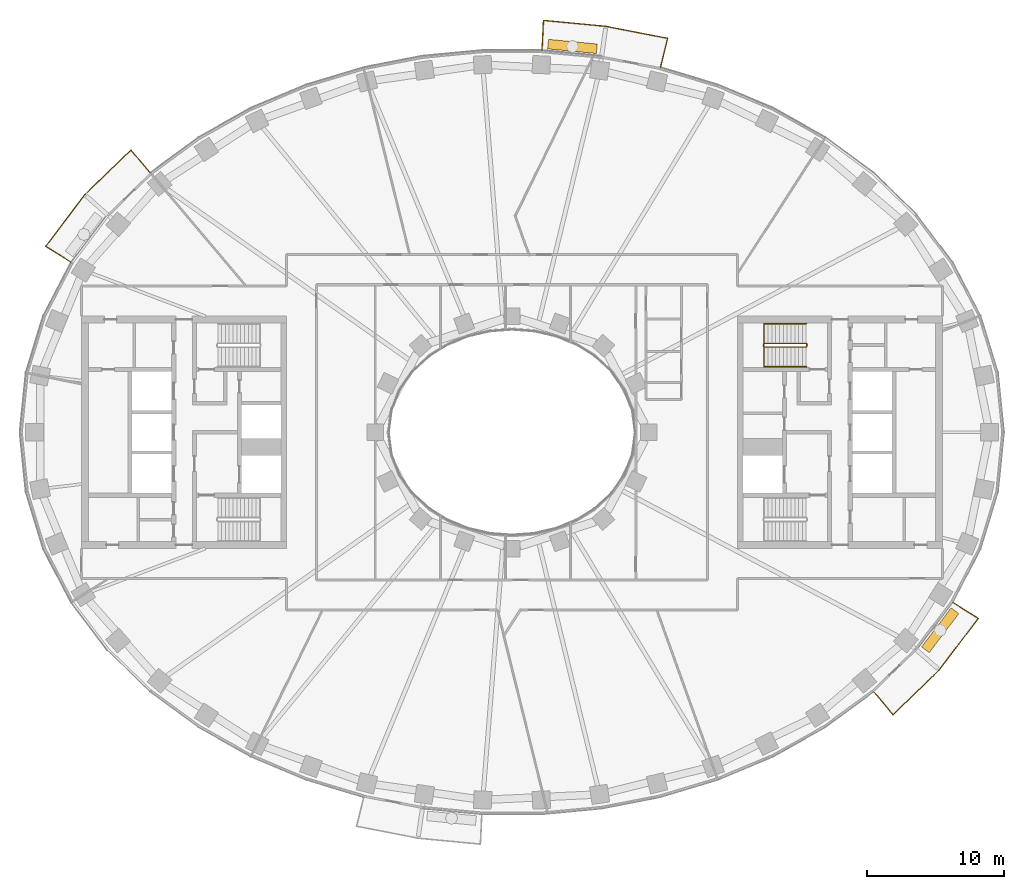
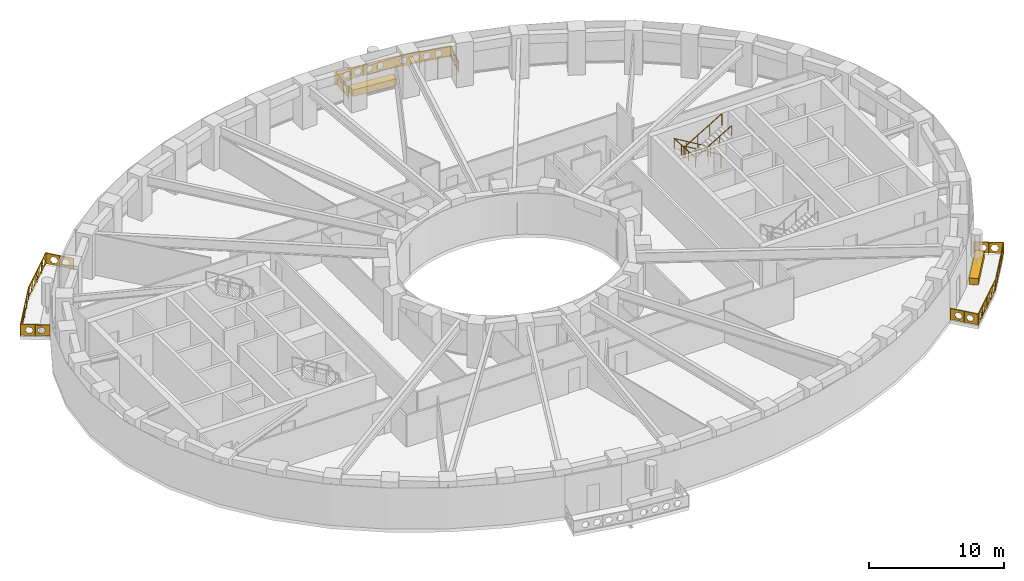
# One storey, part 15 of 16: 5 railings, 2 coverings.
"""IFC4 building model written with IfcOpenShell, lengths in metres."""

from ifc_helpers import new_model, si_unit, direction, frame, origin, origin_2d, place, context, subcontext, project, spatial, polyline, rectangle, outline, extrude, material, type_object, element, save


model = new_model("IFC4")

# Units and contexts
model_context = context("Model", 3, precision=1e-05, world=origin(), true_north=direction((0.0, 1.0)))
body_context = subcontext(model_context, "Body", "Model", "MODEL_VIEW")
ifc_project = project(units=[si_unit("LENGTHUNIT", "METRE"), si_unit("AREAUNIT", "SQUARE_METRE"), si_unit("VOLUMEUNIT", "CUBIC_METRE"), si_unit("PLANEANGLEUNIT", "RADIAN"), si_unit("MASSUNIT", "GRAM", prefix="KILO")], contexts=[model_context])

# Site, building, storey
site_placement = place(None, origin())
site = spatial("IfcSite", under=ifc_project, at=site_placement, CompositionType="ELEMENT")
building_placement = place(site_placement, origin())
building = spatial("IfcBuilding", under=site, at=building_placement, Name="Noorbagh Ring Tower", CompositionType="ELEMENT")
storey_placement = place(building_placement, frame((0.0, 0.0, 100.0)))
storey = spatial("IfcBuildingStorey", under=building, at=storey_placement, Name="L22", CompositionType="ELEMENT", Elevation=100.0)

# Railings
ifc_material_1 = material(Name="Stainless steel", Category="steel")
railing_type_1 = type_object("IfcRailingType", Name="CORE-STAIR-GUARD", PredefinedType="GUARDRAIL", material=ifc_material_1)
railing_1_placement = place(storey_placement, frame((21.580078125, 6.449951171875, 0.0)))
element("IfcRailing", 1, at=railing_1_placement, inside=storey, type_object=railing_type_1, Name="L22 ST3 stair guard", PredefinedType="GUARDRAIL", context=body_context, shape_type="SweptSolid", body=[
    extrude(rectangle(XDim=0.048095703125, YDim=0.048095703125, at=origin_2d()), frame((0.0, 0.0, 1.076171875), z_axis=(0.0, -1.0, 0.0), x_axis=(1.0, 0.0, 0.0)), (0.0, 0.0, 1.0), 0.14990234375),
    extrude(rectangle(XDim=0.048095703125, YDim=0.048095703125, at=origin_2d()), frame((0.0, -0.14990234375, 1.076171875), z_axis=(-0.188775798145, 0.754182335027, 0.628945707965), x_axis=(-0.970072785993, -0.242814311512, 0.0)), (0.0, 0.0, 1.0), 0.26513671875),
    extrude(rectangle(XDim=0.048095703125, YDim=0.048095703125, at=origin_2d()), frame((-0.050048828125, 0.050048828125, 1.24267578125), z_axis=(-0.859308565015, 0.0, 0.511457515432), x_axis=(0.0, -1.0, 0.0)), (0.0, 0.0, 1.0), 3.58447265625),
    extrude(rectangle(XDim=0.048095703125, YDim=0.048095703125, at=origin_2d()), frame((-3.130126953125, 0.050048828125, 3.076171875), z_axis=(-0.707106781187, -0.707106781187, 0.0), x_axis=(0.707106781187, -0.707106781187, 0.0)), (0.0, 0.0, 1.0), 0.07080078125),
    extrude(rectangle(XDim=0.048095703125, YDim=0.048095703125, at=origin_2d()), frame((-3.18017578125, 0.0, 3.076171875), z_axis=(0.0, -1.0, 0.0), x_axis=(1.0, 0.0, 0.0)), (0.0, 0.0, 1.0), 0.14990234375),
    extrude(rectangle(XDim=0.048095703125, YDim=0.048095703125, at=origin_2d()), frame((-3.18017578125, -0.14990234375, 3.076171875), z_axis=(0.27628659633, -0.27628659633, 0.920506074601), x_axis=(0.707106781187, 0.707106781187, 0.0)), (0.0, 0.0, 1.0), 0.18115234375),
    extrude(rectangle(XDim=0.048095703125, YDim=0.048095703125, at=origin_2d()), frame((-3.130126953125, -0.199951171875, 3.24267578125), z_axis=(0.859308565015, 0.0, 0.511457515432), x_axis=(0.0, 1.0, 0.0)), (0.0, 0.0, 1.0), 3.58447265625),
    extrude(rectangle(XDim=0.0419921875, YDim=0.0419921875, at=origin_2d()), origin(), (0.0, 0.0, 1.0), 1.052001953125),
    extrude(rectangle(XDim=0.0419921875, YDim=0.0419921875, at=origin_2d()), frame((-1.07666015625, 0.050048828125, 0.77783203125)), (0.0, 0.0, 1.0), 1.052001953125),
    extrude(rectangle(XDim=0.0419921875, YDim=0.0419921875, at=origin_2d()), frame((-2.103515625, 0.050048828125, 1.388916015625)), (0.0, 0.0, 1.0), 1.052001953125),
    extrude(rectangle(XDim=0.0419921875, YDim=0.0419921875, at=origin_2d()), frame((-3.130126953125, 0.050048828125, 2.0)), (0.0, 0.0, 1.0), 1.052001953125),
    extrude(rectangle(XDim=0.0419921875, YDim=0.0419921875, at=origin_2d()), frame((-3.130126953125, -0.199951171875, 2.166748046875)), (0.0, 0.0, 1.0), 1.052001953125),
    extrude(rectangle(XDim=0.0419921875, YDim=0.0419921875, at=origin_2d()), frame((-2.103515625, -0.199951171875, 2.77783203125)), (0.0, 0.0, 1.0), 1.052001953125),
    extrude(rectangle(XDim=0.0419921875, YDim=0.0419921875, at=origin_2d()), frame((-1.07666015625, -0.199951171875, 3.388916015625)), (0.0, 0.0, 1.0), 1.052001953125),
    extrude(rectangle(XDim=0.0419921875, YDim=0.0419921875, at=origin_2d()), frame((-0.050048828125, -0.199951171875, 4.0)), (0.0, 0.0, 1.0), 1.052001953125),
])
ifc_material_2 = material(Name="Stainless steel", Category="steel")
railing_type_2 = type_object("IfcRailingType", Name="CORE-STAIR-HANDRAIL", PredefinedType="HANDRAIL", material=ifc_material_2)
railing_2_placement = place(storey_placement, frame((21.530029296875, 7.949951171875, 0.166748046875)))
element("IfcRailing", 2, at=railing_2_placement, inside=storey, type_object=railing_type_2, Name="L22 ST3 stair handrail", PredefinedType="HANDRAIL", context=body_context, shape_type="SweptSolid", body=[
    extrude(rectangle(XDim=0.048095703125, YDim=0.048095703125, at=origin_2d()), frame((0.0, 0.0, 0.8759765625), z_axis=(-0.859308565015, 0.0, 0.511457515432), x_axis=(0.0, -1.0, 0.0)), (0.0, 0.0, 1.0), 3.58447265625),
    extrude(rectangle(XDim=0.048095703125, YDim=0.048095703125, at=origin_2d()), frame((-3.080078125, 0.0, 2.708984375), z_axis=(0.0, -0.998601747152, 0.052863509014), x_axis=(1.0, 0.0, 0.0)), (0.0, 0.0, 1.0), 3.154296875),
    extrude(rectangle(XDim=0.048095703125, YDim=0.048095703125, at=origin_2d()), frame((-3.080078125, -3.14990234375, 2.8759765625), z_axis=(0.859308565015, 0.0, 0.511457515432), x_axis=(0.0, 1.0, 0.0)), (0.0, 0.0, 1.0), 3.58447265625),
    extrude(rectangle(XDim=0.0419921875, YDim=0.0419921875, at=origin_2d()), origin(), (0.0, 0.0, 1.0), 0.851806640625),
    extrude(rectangle(XDim=0.0419921875, YDim=0.0419921875, at=origin_2d()), frame((-1.026611328125, 0.0, 0.611083984375)), (0.0, 0.0, 1.0), 0.851806640625),
    extrude(rectangle(XDim=0.0419921875, YDim=0.0419921875, at=origin_2d()), frame((-2.053466796875, 0.0, 1.22216796875)), (0.0, 0.0, 1.0), 0.851806640625),
    extrude(rectangle(XDim=0.0419921875, YDim=0.0419921875, at=origin_2d()), frame((-3.080078125, 0.0, 1.833251953125)), (0.0, 0.0, 1.0), 0.851806640625),
    extrude(rectangle(XDim=0.0419921875, YDim=0.0419921875, at=origin_2d()), frame((-3.080078125, -1.050048828125, 1.888916015625)), (0.0, 0.0, 1.0), 0.851806640625),
    extrude(rectangle(XDim=0.0419921875, YDim=0.0419921875, at=origin_2d()), frame((-3.080078125, -2.099853515625, 1.9443359375)), (0.0, 0.0, 1.0), 0.851806640625),
    extrude(rectangle(XDim=0.0419921875, YDim=0.0419921875, at=origin_2d()), frame((-3.080078125, -3.14990234375, 2.0)), (0.0, 0.0, 1.0), 0.851806640625),
    extrude(rectangle(XDim=0.0419921875, YDim=0.0419921875, at=origin_2d()), frame((-2.053466796875, -3.14990234375, 2.611083984375)), (0.0, 0.0, 1.0), 0.851806640625),
    extrude(rectangle(XDim=0.0419921875, YDim=0.0419921875, at=origin_2d()), frame((-1.026611328125, -3.14990234375, 3.22216796875)), (0.0, 0.0, 1.0), 0.851806640625),
    extrude(rectangle(XDim=0.0419921875, YDim=0.0419921875, at=origin_2d()), frame((0.0, -3.14990234375, 3.833251953125)), (0.0, 0.0, 1.0), 0.851806640625),
])
ifc_material_3 = material(Name="Steel S275 black powder-coated", Category="steel")
railing_type_3 = type_object("IfcRailingType", Name="ENV-GUARD", PredefinedType="GUARDRAIL", material=ifc_material_3)
railing_3_placement = place(storey_placement, frame((10.865234375, 26.6943359375, 0.0)))
element("IfcRailing", 3, at=railing_3_placement, inside=storey, type_object=railing_type_3, Name="Balcony guard BN03", PredefinedType="GUARDRAIL", context=body_context, shape_type="SweptSolid", body=[
    extrude(rectangle(XDim=0.048095703125, YDim=0.048095703125, at=origin_2d()), frame((0.0, 0.0, 1.076171875), z_axis=(0.239848558412, 0.970810315679, 0.0), x_axis=(-0.970810315679, 0.239848558412, 0.0)), (0.0, 0.0, 1.0), 2.20263671875),
    extrude(rectangle(XDim=0.048095703125, YDim=0.048095703125, at=origin_2d()), frame((0.5283203125, 2.138427734375, 1.076171875), z_axis=(-0.981625049064, 0.1908199755, 0.0), x_axis=(-0.1908199755, -0.981625049064, 0.0)), (0.0, 0.0, 1.0), 4.603271484375),
    extrude(rectangle(XDim=0.048095703125, YDim=0.048095703125, at=origin_2d()), frame((-3.990478515625, 3.016845703125, 1.076171875), z_axis=(-0.995477555764, 0.094997031379, 0.0), x_axis=(-0.094997031379, -0.995477555764, 0.0)), (0.0, 0.0, 1.0), 4.59765625),
    extrude(rectangle(XDim=0.048095703125, YDim=0.048095703125, at=origin_2d()), frame((-8.5673828125, 3.45361328125, 1.076171875), z_axis=(-0.047554616162, -0.998868639252, 0.0), x_axis=(0.998868639252, -0.047554616162, 0.0)), (0.0, 0.0, 1.0), 2.202392578125),
    extrude(rectangle(XDim=0.0419921875, YDim=0.0419921875, at=origin_2d()), origin(), (0.0, 0.0, 1.0), 1.052001953125),
    extrude(rectangle(XDim=0.0419921875, YDim=0.0419921875, at=origin_2d()), frame((0.26416015625, 1.0693359375, 0.0)), (0.0, 0.0, 1.0), 1.052001953125),
    extrude(rectangle(XDim=0.0419921875, YDim=0.0419921875, at=origin_2d()), frame((0.5283203125, 2.138427734375, 0.0)), (0.0, 0.0, 1.0), 1.052001953125),
    extrude(rectangle(XDim=0.0419921875, YDim=0.0419921875, at=origin_2d()), frame((-0.601318359375, 2.35791015625, 0.0)), (0.0, 0.0, 1.0), 1.052001953125),
    extrude(rectangle(XDim=0.0419921875, YDim=0.0419921875, at=origin_2d()), frame((-1.73095703125, 2.57763671875, 0.0)), (0.0, 0.0, 1.0), 1.052001953125),
    extrude(rectangle(XDim=0.0419921875, YDim=0.0419921875, at=origin_2d()), frame((-2.86083984375, 2.79736328125, 0.0)), (0.0, 0.0, 1.0), 1.052001953125),
    extrude(rectangle(XDim=0.0419921875, YDim=0.0419921875, at=origin_2d()), frame((-3.990478515625, 3.016845703125, 0.0)), (0.0, 0.0, 1.0), 1.052001953125),
    extrude(rectangle(XDim=0.0419921875, YDim=0.0419921875, at=origin_2d()), frame((-5.134765625, 3.1259765625, 0.0)), (0.0, 0.0, 1.0), 1.052001953125),
    extrude(rectangle(XDim=0.0419921875, YDim=0.0419921875, at=origin_2d()), frame((-6.27880859375, 3.2353515625, 0.0)), (0.0, 0.0, 1.0), 1.052001953125),
    extrude(rectangle(XDim=0.0419921875, YDim=0.0419921875, at=origin_2d()), frame((-7.423095703125, 3.344482421875, 0.0)), (0.0, 0.0, 1.0), 1.052001953125),
    extrude(rectangle(XDim=0.0419921875, YDim=0.0419921875, at=origin_2d()), frame((-8.5673828125, 3.45361328125, 0.0)), (0.0, 0.0, 1.0), 1.052001953125),
    extrude(rectangle(XDim=0.0419921875, YDim=0.0419921875, at=origin_2d()), frame((-8.61962890625, 2.353515625, 0.0)), (0.0, 0.0, 1.0), 1.052001953125),
    extrude(rectangle(XDim=0.0419921875, YDim=0.0419921875, at=origin_2d()), frame((-8.672119140625, 1.253662109375, 0.0)), (0.0, 0.0, 1.0), 1.052001953125),
    extrude(outline(polyline([(0.0, 0.10009765625), (2.20263671875, 0.10009765625), (2.20263671875, 1.031982421875), (0.0, 1.031982421875), (0.0, 0.10009765625)]), holes=[polyline([(0.96142578125, 0.56591796875), (0.806396484375, 0.83447265625), (0.496337890625, 0.83447265625), (0.34130859375, 0.56591796875), (0.496337890625, 0.297607421875), (0.806396484375, 0.297607421875), (0.96142578125, 0.56591796875)]), polyline([(1.861328125, 0.56591796875), (1.706298828125, 0.83447265625), (1.396240234375, 0.83447265625), (1.241455078125, 0.56591796875), (1.396240234375, 0.297607421875), (1.706298828125, 0.297607421875), (1.861328125, 0.56591796875)])]), frame((-0.009765625, 0.00244140625, 0.0), z_axis=(0.970810315679, -0.239848558412, 0.0), x_axis=(0.239848558412, 0.970810315679, 0.0)), (0.0, 0.0, 1.0), 0.02001953125),
    extrude(outline(polyline([(0.0, 0.10009765625), (4.603271484375, 0.10009765625), (4.603271484375, 1.031982421875), (0.0, 1.031982421875), (0.0, 0.10009765625)]), holes=[polyline([(1.26171875, 0.56591796875), (1.106689453125, 0.83447265625), (0.796630859375, 0.83447265625), (0.6416015625, 0.56591796875), (0.796630859375, 0.297607421875), (1.106689453125, 0.297607421875), (1.26171875, 0.56591796875)]), polyline([(2.16162109375, 0.56591796875), (2.006591796875, 0.83447265625), (1.69677734375, 0.83447265625), (1.541748046875, 0.56591796875), (1.69677734375, 0.297607421875), (2.006591796875, 0.297607421875), (2.16162109375, 0.56591796875)]), polyline([(3.061767578125, 0.56591796875), (2.90673828125, 0.83447265625), (2.5966796875, 0.83447265625), (2.441650390625, 0.56591796875), (2.5966796875, 0.297607421875), (2.90673828125, 0.297607421875), (3.061767578125, 0.56591796875)]), polyline([(3.961669921875, 0.56591796875), (3.806640625, 0.83447265625), (3.49658203125, 0.83447265625), (3.341796875, 0.56591796875), (3.49658203125, 0.297607421875), (3.806640625, 0.297607421875), (3.961669921875, 0.56591796875)])]), frame((0.5263671875, 2.128662109375, 0.0), z_axis=(0.1908199755, 0.981625049064, 0.0), x_axis=(-0.981625049064, 0.1908199755, 0.0)), (0.0, 0.0, 1.0), 0.02001953125),
    extrude(outline(polyline([(0.0, 0.10009765625), (4.59765625, 0.10009765625), (4.59765625, 1.031982421875), (0.0, 1.031982421875), (0.0, 0.10009765625)]), holes=[polyline([(1.2587890625, 0.56591796875), (1.103759765625, 0.83447265625), (0.7939453125, 0.83447265625), (0.638916015625, 0.56591796875), (0.7939453125, 0.297607421875), (1.103759765625, 0.297607421875), (1.2587890625, 0.56591796875)]), polyline([(2.158935546875, 0.56591796875), (2.00390625, 0.83447265625), (1.69384765625, 0.83447265625), (1.538818359375, 0.56591796875), (1.69384765625, 0.297607421875), (2.00390625, 0.297607421875), (2.158935546875, 0.56591796875)]), polyline([(3.058837890625, 0.56591796875), (2.90380859375, 0.83447265625), (2.59375, 0.83447265625), (2.43896484375, 0.56591796875), (2.59375, 0.297607421875), (2.90380859375, 0.297607421875), (3.058837890625, 0.56591796875)]), polyline([(3.958740234375, 0.56591796875), (3.803955078125, 0.83447265625), (3.493896484375, 0.83447265625), (3.3388671875, 0.56591796875), (3.493896484375, 0.297607421875), (3.803955078125, 0.297607421875), (3.958740234375, 0.56591796875)])]), frame((-3.991455078125, 3.0068359375, 0.0), z_axis=(0.094997031379, 0.995477555764, 0.0), x_axis=(-0.995477555764, 0.094997031379, 0.0)), (0.0, 0.0, 1.0), 0.02001953125),
    extrude(outline(polyline([(0.0, 0.10009765625), (2.202392578125, 0.10009765625), (2.202392578125, 1.031982421875), (0.0, 1.031982421875), (0.0, 0.10009765625)]), holes=[polyline([(0.961181640625, 0.56591796875), (0.80615234375, 0.83447265625), (0.496337890625, 0.83447265625), (0.34130859375, 0.56591796875), (0.496337890625, 0.297607421875), (0.80615234375, 0.297607421875), (0.961181640625, 0.56591796875)]), polyline([(1.861328125, 0.56591796875), (1.706298828125, 0.83447265625), (1.396240234375, 0.83447265625), (1.2412109375, 0.56591796875), (1.396240234375, 0.297607421875), (1.706298828125, 0.297607421875), (1.861328125, 0.56591796875)])]), frame((-8.557373046875, 3.453125, 0.0), z_axis=(-0.998868639252, 0.047554616162, 0.0), x_axis=(-0.047554616162, -0.998868639252, 0.0)), (0.0, 0.0, 1.0), 0.02001953125),
])
railing_4_placement = place(storey_placement, frame((-26.463134765625, 18.983154296875, 0.0)))
element("IfcRailing", 4, at=railing_4_placement, inside=storey, type_object=railing_type_3, Name="Balcony guard BN06", PredefinedType="GUARDRAIL", context=body_context, shape_type="SweptSolid", body=[
    extrude(rectangle(XDim=0.048095703125, YDim=0.048095703125, at=origin_2d()), frame((0.0, 0.0, 1.076171875), z_axis=(-0.646413574048, 0.762987215677, 0.0), x_axis=(-0.762987215677, -0.646413574048, 0.0)), (0.0, 0.0, 1.0), 2.205322265625),
    extrude(rectangle(XDim=0.048095703125, YDim=0.048095703125, at=origin_2d()), frame((-1.425537109375, 1.6826171875, 1.076171875), z_axis=(-0.717212632946, -0.696854388766, 0.0), x_axis=(0.696854388766, -0.717212632946, 0.0)), (0.0, 0.0, 1.0), 4.700927734375),
    extrude(rectangle(XDim=0.048095703125, YDim=0.048095703125, at=origin_2d()), frame((-4.797119140625, -1.59326171875, 1.076171875), z_axis=(-0.604001613322, -0.796983093362, 0.0), x_axis=(0.796983093362, -0.604001613322, 0.0)), (0.0, 0.0, 1.0), 4.7353515625),
    extrude(rectangle(XDim=0.048095703125, YDim=0.048095703125, at=origin_2d()), frame((-7.6572265625, -5.3671875, 1.076171875), z_axis=(0.844852397829, -0.534999463442, 0.0), x_axis=(0.534999463442, 0.844852397829, 0.0)), (0.0, 0.0, 1.0), 2.207763671875),
    extrude(rectangle(XDim=0.0419921875, YDim=0.0419921875, at=origin_2d()), origin(), (0.0, 0.0, 1.0), 1.052001953125),
    extrude(rectangle(XDim=0.0419921875, YDim=0.0419921875, at=origin_2d()), frame((-0.712890625, 0.84130859375, 0.0)), (0.0, 0.0, 1.0), 1.052001953125),
    extrude(rectangle(XDim=0.0419921875, YDim=0.0419921875, at=origin_2d()), frame((-1.425537109375, 1.6826171875, 0.0)), (0.0, 0.0, 1.0), 1.052001953125),
    extrude(rectangle(XDim=0.0419921875, YDim=0.0419921875, at=origin_2d()), frame((-2.2685546875, 0.86376953125, 0.0)), (0.0, 0.0, 1.0), 1.052001953125),
    extrude(rectangle(XDim=0.0419921875, YDim=0.0419921875, at=origin_2d()), frame((-3.111328125, 0.044677734375, 0.0)), (0.0, 0.0, 1.0), 1.052001953125),
    extrude(rectangle(XDim=0.0419921875, YDim=0.0419921875, at=origin_2d()), frame((-3.9541015625, -0.7744140625, 0.0)), (0.0, 0.0, 1.0), 1.052001953125),
    extrude(rectangle(XDim=0.0419921875, YDim=0.0419921875, at=origin_2d()), frame((-4.797119140625, -1.59326171875, 0.0)), (0.0, 0.0, 1.0), 1.052001953125),
    extrude(rectangle(XDim=0.0419921875, YDim=0.0419921875, at=origin_2d()), frame((-5.51220703125, -2.53662109375, 0.0)), (0.0, 0.0, 1.0), 1.052001953125),
    extrude(rectangle(XDim=0.0419921875, YDim=0.0419921875, at=origin_2d()), frame((-6.22705078125, -3.480224609375, 0.0)), (0.0, 0.0, 1.0), 1.052001953125),
    extrude(rectangle(XDim=0.0419921875, YDim=0.0419921875, at=origin_2d()), frame((-6.942138671875, -4.423828125, 0.0)), (0.0, 0.0, 1.0), 1.052001953125),
    extrude(rectangle(XDim=0.0419921875, YDim=0.0419921875, at=origin_2d()), frame((-7.6572265625, -5.3671875, 0.0)), (0.0, 0.0, 1.0), 1.052001953125),
    extrude(rectangle(XDim=0.0419921875, YDim=0.0419921875, at=origin_2d()), frame((-6.724609375, -5.957763671875, 0.0)), (0.0, 0.0, 1.0), 1.052001953125),
    extrude(rectangle(XDim=0.0419921875, YDim=0.0419921875, at=origin_2d()), frame((-5.7919921875, -6.54833984375, 0.0)), (0.0, 0.0, 1.0), 1.052001953125),
    extrude(outline(polyline([(0.0, 0.10009765625), (2.205322265625, 0.10009765625), (2.205322265625, 1.031982421875), (0.0, 1.031982421875), (0.0, 0.10009765625)]), holes=[polyline([(0.962646484375, 0.56591796875), (0.8076171875, 0.83447265625), (0.49755859375, 0.83447265625), (0.342529296875, 0.56591796875), (0.49755859375, 0.297607421875), (0.8076171875, 0.297607421875), (0.962646484375, 0.56591796875)]), polyline([(1.862548828125, 0.56591796875), (1.707763671875, 0.83447265625), (1.397705078125, 0.83447265625), (1.24267578125, 0.56591796875), (1.397705078125, 0.297607421875), (1.707763671875, 0.297607421875), (1.862548828125, 0.56591796875)])]), frame((-0.007568359375, -0.00634765625, 0.0), z_axis=(0.762987215677, 0.646413574048, 0.0), x_axis=(-0.646413574048, 0.762987215677, 0.0)), (0.0, 0.0, 1.0), 0.02001953125),
    extrude(outline(polyline([(0.0, 0.10009765625), (4.700927734375, 0.10009765625), (4.700927734375, 1.031982421875), (0.0, 1.031982421875), (0.0, 0.10009765625)]), holes=[polyline([(0.860595703125, 0.56591796875), (0.70556640625, 0.83447265625), (0.3955078125, 0.83447265625), (0.240478515625, 0.56591796875), (0.3955078125, 0.297607421875), (0.70556640625, 0.297607421875), (0.860595703125, 0.56591796875)]), polyline([(1.760498046875, 0.56591796875), (1.60546875, 0.83447265625), (1.29541015625, 0.83447265625), (1.140380859375, 0.56591796875), (1.29541015625, 0.297607421875), (1.60546875, 0.297607421875), (1.760498046875, 0.56591796875)]), polyline([(2.660400390625, 0.56591796875), (2.50537109375, 0.83447265625), (2.195556640625, 0.83447265625), (2.04052734375, 0.56591796875), (2.195556640625, 0.297607421875), (2.50537109375, 0.297607421875), (2.660400390625, 0.56591796875)]), polyline([(3.560546875, 0.56591796875), (3.405517578125, 0.83447265625), (3.095458984375, 0.83447265625), (2.9404296875, 0.56591796875), (3.095458984375, 0.297607421875), (3.405517578125, 0.297607421875), (3.560546875, 0.56591796875)]), polyline([(4.46044921875, 0.56591796875), (4.305419921875, 0.83447265625), (3.995361328125, 0.83447265625), (3.840576171875, 0.56591796875), (3.995361328125, 0.297607421875), (4.305419921875, 0.297607421875), (4.46044921875, 0.56591796875)])]), frame((-1.41845703125, 1.675537109375, 0.0), z_axis=(-0.696854388766, 0.717212632946, 0.0), x_axis=(-0.717212632946, -0.696854388766, 0.0)), (0.0, 0.0, 1.0), 0.02001953125),
    extrude(outline(polyline([(0.0, 0.10009765625), (4.7353515625, 0.10009765625), (4.7353515625, 1.031982421875), (0.0, 1.031982421875), (0.0, 0.10009765625)]), holes=[polyline([(0.877685546875, 0.56591796875), (0.72265625, 0.83447265625), (0.41259765625, 0.83447265625), (0.257568359375, 0.56591796875), (0.41259765625, 0.297607421875), (0.72265625, 0.297607421875), (0.877685546875, 0.56591796875)]), polyline([(1.777587890625, 0.56591796875), (1.62255859375, 0.83447265625), (1.312744140625, 0.83447265625), (1.15771484375, 0.56591796875), (1.312744140625, 0.297607421875), (1.62255859375, 0.297607421875), (1.777587890625, 0.56591796875)]), polyline([(2.677734375, 0.56591796875), (2.522705078125, 0.83447265625), (2.212646484375, 0.83447265625), (2.0576171875, 0.56591796875), (2.212646484375, 0.297607421875), (2.522705078125, 0.297607421875), (2.677734375, 0.56591796875)]), polyline([(3.57763671875, 0.56591796875), (3.422607421875, 0.83447265625), (3.112548828125, 0.83447265625), (2.95751953125, 0.56591796875), (3.112548828125, 0.297607421875), (3.422607421875, 0.297607421875), (3.57763671875, 0.56591796875)]), polyline([(4.4775390625, 0.56591796875), (4.32275390625, 0.83447265625), (4.0126953125, 0.83447265625), (3.857666015625, 0.56591796875), (4.0126953125, 0.297607421875), (4.32275390625, 0.297607421875), (4.4775390625, 0.56591796875)])]), frame((-4.7890625, -1.599365234375, 0.0), z_axis=(-0.796983093362, 0.604001613322, 0.0), x_axis=(-0.604001613322, -0.796983093362, 0.0)), (0.0, 0.0, 1.0), 0.02001953125),
    extrude(outline(polyline([(0.0, 0.10009765625), (2.207763671875, 0.10009765625), (2.207763671875, 1.031982421875), (0.0, 1.031982421875), (0.0, 0.10009765625)]), holes=[polyline([(0.9638671875, 0.56591796875), (0.808837890625, 0.83447265625), (0.498779296875, 0.83447265625), (0.343994140625, 0.56591796875), (0.498779296875, 0.297607421875), (0.808837890625, 0.297607421875), (0.9638671875, 0.56591796875)]), polyline([(1.86376953125, 0.56591796875), (1.708984375, 0.83447265625), (1.39892578125, 0.83447265625), (1.243896484375, 0.56591796875), (1.39892578125, 0.297607421875), (1.708984375, 0.297607421875), (1.86376953125, 0.56591796875)])]), frame((-7.65185546875, -5.358642578125, 0.0), z_axis=(-0.534999463442, -0.844852397829, 0.0), x_axis=(0.844852397829, -0.534999463442, 0.0)), (0.0, 0.0, 1.0), 0.02001953125),
])
railing_5_placement = place(storey_placement, frame((26.463134765625, -18.983154296875, 0.0)))
element("IfcRailing", 5, at=railing_5_placement, inside=storey, type_object=railing_type_3, Name="Balcony guard BS06", PredefinedType="GUARDRAIL", context=body_context, shape_type="SweptSolid", body=[
    extrude(rectangle(XDim=0.048095703125, YDim=0.048095703125, at=origin_2d()), frame((0.0, 0.0, 1.076171875), z_axis=(0.646413574048, -0.762987215677, 0.0), x_axis=(0.762987215677, 0.646413574048, 0.0)), (0.0, 0.0, 1.0), 2.205322265625),
    extrude(rectangle(XDim=0.048095703125, YDim=0.048095703125, at=origin_2d()), frame((1.425537109375, -1.6826171875, 1.076171875), z_axis=(0.717212632946, 0.696854388766, 0.0), x_axis=(-0.696854388766, 0.717212632946, 0.0)), (0.0, 0.0, 1.0), 4.700927734375),
    extrude(rectangle(XDim=0.048095703125, YDim=0.048095703125, at=origin_2d()), frame((4.797119140625, 1.59326171875, 1.076171875), z_axis=(0.604001613322, 0.796983093362, 0.0), x_axis=(-0.796983093362, 0.604001613322, 0.0)), (0.0, 0.0, 1.0), 4.7353515625),
    extrude(rectangle(XDim=0.048095703125, YDim=0.048095703125, at=origin_2d()), frame((7.6572265625, 5.3671875, 1.076171875), z_axis=(-0.844852397829, 0.534999463442, 0.0), x_axis=(-0.534999463442, -0.844852397829, 0.0)), (0.0, 0.0, 1.0), 2.207763671875),
    extrude(rectangle(XDim=0.0419921875, YDim=0.0419921875, at=origin_2d()), origin(), (0.0, 0.0, 1.0), 1.052001953125),
    extrude(rectangle(XDim=0.0419921875, YDim=0.0419921875, at=origin_2d()), frame((0.712890625, -0.84130859375, 0.0)), (0.0, 0.0, 1.0), 1.052001953125),
    extrude(rectangle(XDim=0.0419921875, YDim=0.0419921875, at=origin_2d()), frame((1.425537109375, -1.6826171875, 0.0)), (0.0, 0.0, 1.0), 1.052001953125),
    extrude(rectangle(XDim=0.0419921875, YDim=0.0419921875, at=origin_2d()), frame((2.2685546875, -0.86376953125, 0.0)), (0.0, 0.0, 1.0), 1.052001953125),
    extrude(rectangle(XDim=0.0419921875, YDim=0.0419921875, at=origin_2d()), frame((3.111328125, -0.044677734375, 0.0)), (0.0, 0.0, 1.0), 1.052001953125),
    extrude(rectangle(XDim=0.0419921875, YDim=0.0419921875, at=origin_2d()), frame((3.9541015625, 0.7744140625, 0.0)), (0.0, 0.0, 1.0), 1.052001953125),
    extrude(rectangle(XDim=0.0419921875, YDim=0.0419921875, at=origin_2d()), frame((4.797119140625, 1.59326171875, 0.0)), (0.0, 0.0, 1.0), 1.052001953125),
    extrude(rectangle(XDim=0.0419921875, YDim=0.0419921875, at=origin_2d()), frame((5.51220703125, 2.53662109375, 0.0)), (0.0, 0.0, 1.0), 1.052001953125),
    extrude(rectangle(XDim=0.0419921875, YDim=0.0419921875, at=origin_2d()), frame((6.22705078125, 3.480224609375, 0.0)), (0.0, 0.0, 1.0), 1.052001953125),
    extrude(rectangle(XDim=0.0419921875, YDim=0.0419921875, at=origin_2d()), frame((6.942138671875, 4.423828125, 0.0)), (0.0, 0.0, 1.0), 1.052001953125),
    extrude(rectangle(XDim=0.0419921875, YDim=0.0419921875, at=origin_2d()), frame((7.6572265625, 5.3671875, 0.0)), (0.0, 0.0, 1.0), 1.052001953125),
    extrude(rectangle(XDim=0.0419921875, YDim=0.0419921875, at=origin_2d()), frame((6.724609375, 5.957763671875, 0.0)), (0.0, 0.0, 1.0), 1.052001953125),
    extrude(rectangle(XDim=0.0419921875, YDim=0.0419921875, at=origin_2d()), frame((5.7919921875, 6.54833984375, 0.0)), (0.0, 0.0, 1.0), 1.052001953125),
    extrude(outline(polyline([(0.0, 0.10009765625), (2.205322265625, 0.10009765625), (2.205322265625, 1.031982421875), (0.0, 1.031982421875), (0.0, 0.10009765625)]), holes=[polyline([(0.962646484375, 0.56591796875), (0.8076171875, 0.83447265625), (0.49755859375, 0.83447265625), (0.342529296875, 0.56591796875), (0.49755859375, 0.297607421875), (0.8076171875, 0.297607421875), (0.962646484375, 0.56591796875)]), polyline([(1.862548828125, 0.56591796875), (1.707763671875, 0.83447265625), (1.397705078125, 0.83447265625), (1.24267578125, 0.56591796875), (1.397705078125, 0.297607421875), (1.707763671875, 0.297607421875), (1.862548828125, 0.56591796875)])]), frame((0.007568359375, 0.00634765625, 0.0), z_axis=(-0.762987215677, -0.646413574048, 0.0), x_axis=(0.646413574048, -0.762987215677, 0.0)), (0.0, 0.0, 1.0), 0.02001953125),
    extrude(outline(polyline([(0.0, 0.10009765625), (4.700927734375, 0.10009765625), (4.700927734375, 1.031982421875), (0.0, 1.031982421875), (0.0, 0.10009765625)]), holes=[polyline([(0.860595703125, 0.56591796875), (0.70556640625, 0.83447265625), (0.3955078125, 0.83447265625), (0.240478515625, 0.56591796875), (0.3955078125, 0.297607421875), (0.70556640625, 0.297607421875), (0.860595703125, 0.56591796875)]), polyline([(1.760498046875, 0.56591796875), (1.60546875, 0.83447265625), (1.29541015625, 0.83447265625), (1.140380859375, 0.56591796875), (1.29541015625, 0.297607421875), (1.60546875, 0.297607421875), (1.760498046875, 0.56591796875)]), polyline([(2.660400390625, 0.56591796875), (2.50537109375, 0.83447265625), (2.195556640625, 0.83447265625), (2.04052734375, 0.56591796875), (2.195556640625, 0.297607421875), (2.50537109375, 0.297607421875), (2.660400390625, 0.56591796875)]), polyline([(3.560546875, 0.56591796875), (3.405517578125, 0.83447265625), (3.095458984375, 0.83447265625), (2.9404296875, 0.56591796875), (3.095458984375, 0.297607421875), (3.405517578125, 0.297607421875), (3.560546875, 0.56591796875)]), polyline([(4.46044921875, 0.56591796875), (4.305419921875, 0.83447265625), (3.995361328125, 0.83447265625), (3.840576171875, 0.56591796875), (3.995361328125, 0.297607421875), (4.305419921875, 0.297607421875), (4.46044921875, 0.56591796875)])]), frame((1.41845703125, -1.675537109375, 0.0), z_axis=(0.696854388766, -0.717212632946, 0.0), x_axis=(0.717212632946, 0.696854388766, 0.0)), (0.0, 0.0, 1.0), 0.02001953125),
    extrude(outline(polyline([(0.0, 0.10009765625), (4.7353515625, 0.10009765625), (4.7353515625, 1.031982421875), (0.0, 1.031982421875), (0.0, 0.10009765625)]), holes=[polyline([(0.877685546875, 0.56591796875), (0.72265625, 0.83447265625), (0.41259765625, 0.83447265625), (0.257568359375, 0.56591796875), (0.41259765625, 0.297607421875), (0.72265625, 0.297607421875), (0.877685546875, 0.56591796875)]), polyline([(1.777587890625, 0.56591796875), (1.62255859375, 0.83447265625), (1.312744140625, 0.83447265625), (1.15771484375, 0.56591796875), (1.312744140625, 0.297607421875), (1.62255859375, 0.297607421875), (1.777587890625, 0.56591796875)]), polyline([(2.677734375, 0.56591796875), (2.522705078125, 0.83447265625), (2.212646484375, 0.83447265625), (2.0576171875, 0.56591796875), (2.212646484375, 0.297607421875), (2.522705078125, 0.297607421875), (2.677734375, 0.56591796875)]), polyline([(3.57763671875, 0.56591796875), (3.422607421875, 0.83447265625), (3.112548828125, 0.83447265625), (2.95751953125, 0.56591796875), (3.112548828125, 0.297607421875), (3.422607421875, 0.297607421875), (3.57763671875, 0.56591796875)]), polyline([(4.4775390625, 0.56591796875), (4.32275390625, 0.83447265625), (4.0126953125, 0.83447265625), (3.857666015625, 0.56591796875), (4.0126953125, 0.297607421875), (4.32275390625, 0.297607421875), (4.4775390625, 0.56591796875)])]), frame((4.7890625, 1.599365234375, 0.0), z_axis=(0.796983093362, -0.604001613322, 0.0), x_axis=(0.604001613322, 0.796983093362, 0.0)), (0.0, 0.0, 1.0), 0.02001953125),
    extrude(outline(polyline([(0.0, 0.10009765625), (2.207763671875, 0.10009765625), (2.207763671875, 1.031982421875), (0.0, 1.031982421875), (0.0, 0.10009765625)]), holes=[polyline([(0.9638671875, 0.56591796875), (0.808837890625, 0.83447265625), (0.498779296875, 0.83447265625), (0.343994140625, 0.56591796875), (0.498779296875, 0.297607421875), (0.808837890625, 0.297607421875), (0.9638671875, 0.56591796875)]), polyline([(1.86376953125, 0.56591796875), (1.708984375, 0.83447265625), (1.39892578125, 0.83447265625), (1.243896484375, 0.56591796875), (1.39892578125, 0.297607421875), (1.708984375, 0.297607421875), (1.86376953125, 0.56591796875)])]), frame((7.65185546875, 5.358642578125, 0.0), z_axis=(0.534999463442, 0.844852397829, 0.0), x_axis=(-0.844852397829, 0.534999463442, 0.0)), (0.0, 0.0, 1.0), 0.02001953125),
])

# Coverings
ifc_material_4 = material(Name="Concrete C30/37 planter with soil", Category="concrete")
covering_type = type_object("IfcCoveringType", Name="ENV-PLANTER", PredefinedType="CLADDING", material=ifc_material_4)
covering_1_placement = place(storey_placement, frame((4.423828125, 28.2373046875, 0.0), z_axis=(0.0, 0.0, 1.0), x_axis=(-0.995476497323, 0.095008122171, 0.0)))
element("IfcCovering", 6, at=covering_1_placement, inside=storey, type_object=covering_type, Name="PLANTER BN03", ObjectType="PLANTER", PredefinedType="CLADDING", context=body_context, shape_type="SweptSolid", body=[
    extrude(rectangle(XDim=3.58642578125, YDim=0.699951171875, at=origin_2d()), origin(), (0.0, 0.0, 1.0), 0.60009765625),
])
covering_2_placement = place(storey_placement, frame((31.329833984375, -14.4833984375, 0.0), z_axis=(0.0, 0.0, 1.0), x_axis=(0.604020184358, 0.796969018776, 0.0)))
element("IfcCovering", 7, at=covering_2_placement, inside=storey, type_object=covering_type, Name="PLANTER BS06", ObjectType="PLANTER", PredefinedType="CLADDING", context=body_context, shape_type="SweptSolid", body=[
    extrude(rectangle(XDim=3.583251953125, YDim=0.699951171875, at=origin_2d()), origin(), (0.0, 0.0, 1.0), 0.60009765625),
])

save(model, "model.ifc")
